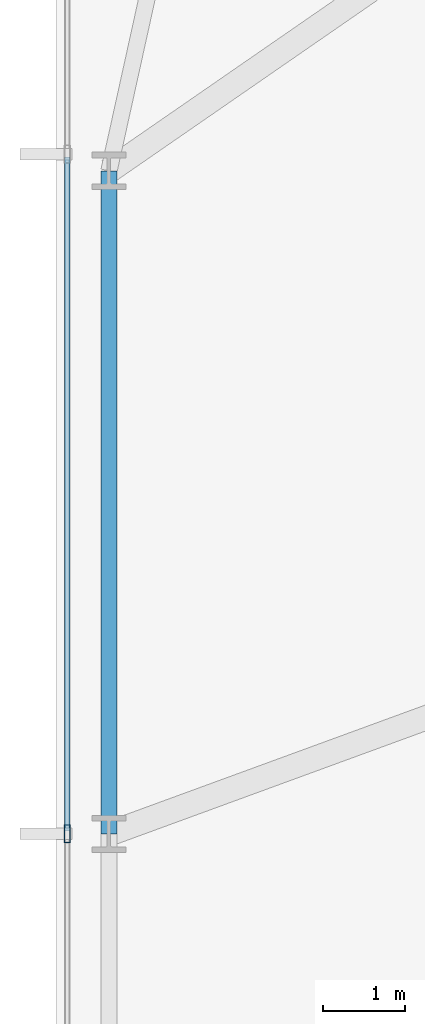
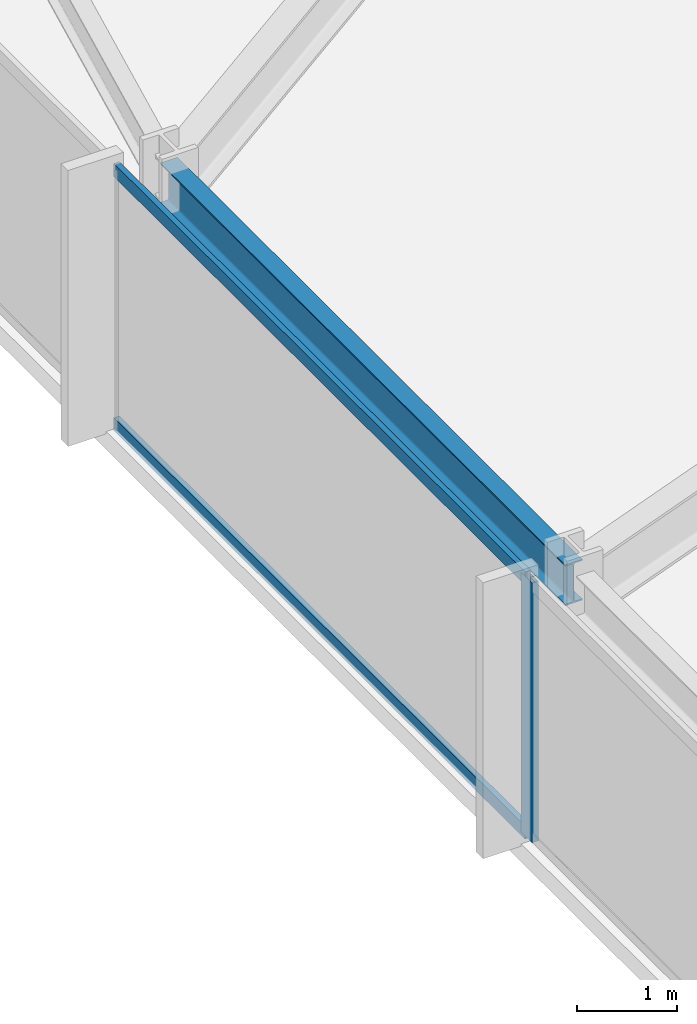
# One storey, part 7 of 32: 3 members, 1 beam, 1 element without a shape of its own.
"""IFC4 building model written with IfcOpenShell, lengths in metres."""

from ifc_helpers import new_model, si_unit, direction, frame, origin, origin_2d, place, context, subcontext, project, spatial, hollow_rectangle, i_section, extrude, material, material_profile, profile_set, type_object, element, aggregate, save


model = new_model("IFC4")

# Units and contexts
model_context = context("Model", 3, precision=1e-05, world=origin(), true_north=direction((0.0, 1.0)))
body_context = subcontext(model_context, "Body", "Model", "MODEL_VIEW")
ifc_project = project(units=[si_unit("LENGTHUNIT", "METRE"), si_unit("AREAUNIT", "SQUARE_METRE"), si_unit("VOLUMEUNIT", "CUBIC_METRE"), si_unit("PLANEANGLEUNIT", "RADIAN"), si_unit("MASSUNIT", "GRAM", prefix="KILO")], contexts=[model_context])

# Site, building, storey
site_placement = place(None, origin())
site = spatial("IfcSite", under=ifc_project, at=site_placement, CompositionType="ELEMENT")
building_placement = place(site_placement, origin())
building = spatial("IfcBuilding", under=site, at=building_placement, Name="Yelkora Congress Tower", CompositionType="ELEMENT")
storey_placement = place(building_placement, frame((0.0, 0.0, 33.800048828125)))
storey = spatial("IfcBuildingStorey", under=building, at=storey_placement, Name="L07", CompositionType="ELEMENT", Elevation=33.800048828125)

# Beam
ifc_material_1 = material(Name="Steel S355J2", Category="steel")
ifc_material_profile_1 = material_profile(ifc_material_1, i_section(OverallWidth=0.199951171875, OverallDepth=0.5, WebThickness=0.01025390625, FlangeThickness=0.01611328125, FilletRadius=0.02099609375, at=origin_2d()), Name="IPE 500")
ifc_profile_set_1 = profile_set([ifc_material_profile_1], Name="Steel S355J2")
beam_type = type_object("IfcBeamType", Name="BM-SPAN-IPE500", PredefinedType="SPANDREL", material=ifc_profile_set_1)
beam_placement = place(storey_placement, frame((6.64990234375, 37.52490234375, 2.929931640625), z_axis=(0.0, -1.0, 0.0), x_axis=(1.0, 0.0, 0.0)))
element("IfcBeam", 1, at=beam_placement, inside=storey, type_object=beam_type, Name="L07 Perimeter Beam 18", PredefinedType="SPANDREL", context=body_context, shape_type="SweptSolid", body=[
    extrude(i_section(OverallWidth=0.199951171875, OverallDepth=0.5, WebThickness=0.01025390625, FlangeThickness=0.01611328125, FilletRadius=0.02099609375, at=origin_2d()), origin(), (0.0, 0.0, 1.0), 8.125),
])

# Curtain wall, members
ifc_material_2 = material(Name="Anodised aluminium and insulated glass", Category="aluminium")
curtain_wall_type = type_object("IfcCurtainWallType", Name="CW-SYS-B1", PredefinedType="NOTDEFINED", material=ifc_material_2)
curtain_wall_placement = place(storey_placement, origin())
curtain_wall = element("IfcCurtainWall", 2, at=curtain_wall_placement, inside=storey, type_object=curtain_wall_type, Name="L07 Unitised Curtain Wall 5", PredefinedType="NOTDEFINED")
ifc_material_3 = material(Name="Anodised aluminium 6063-T6", Category="aluminium")
ifc_material_profile_2 = material_profile(ifc_material_3, hollow_rectangle(XDim=0.074951171875, YDim=0.219970703125, WallThickness=0.0048828125, at=origin_2d()), Name="ALU 75x220x5")
ifc_profile_set_2 = profile_set([ifc_material_profile_2], Name="Anodised aluminium 6063-T6")
member_type_1 = type_object("IfcMemberType", Name="MEM-ML-B1", PredefinedType="MULLION", material=ifc_profile_set_2)
member_1_placement = place(storey_placement, frame((6.139892578125, 29.39990234375, 0.0), z_axis=(0.0, 0.0, 1.0), x_axis=(-1.0, 0.0, 0.0)))
member_1 = element("IfcMember", 3, at=member_1_placement, type_object=member_type_1, Name="CW-B1 mullion 3", PredefinedType="MULLION", context=body_context, shape_type="SweptSolid", body=[
    extrude(hollow_rectangle(XDim=0.074951171875, YDim=0.219970703125, WallThickness=0.0048828125, at=origin_2d()), origin(), (0.0, 0.0, 1.0), 3.179931640625),
])
ifc_material_profile_3 = material_profile(ifc_material_3, hollow_rectangle(XDim=0.06494140625, YDim=0.159912109375, WallThickness=0.00390625, at=origin_2d()), Name="ALU 65x160x4")
ifc_profile_set_3 = profile_set([ifc_material_profile_3], Name="Anodised aluminium 6063-T6")
member_type_2 = type_object("IfcMemberType", Name="MEM-TR-B1", PredefinedType="USERDEFINED", material=ifc_profile_set_3)
member_2_placement = place(storey_placement, frame((6.139892578125, 29.4375, 0.032470703125), z_axis=(0.0, 1.0, 0.0), x_axis=(-1.0, 0.0, 0.0)))
member_2 = element("IfcMember", 4, at=member_2_placement, type_object=member_type_2, Name="CW-B1 transom 3.1", ObjectType="TRANSOM", PredefinedType="USERDEFINED", context=body_context, shape_type="SweptSolid", body=[
    extrude(hollow_rectangle(XDim=0.06494140625, YDim=0.159912109375, WallThickness=0.00390625, at=origin_2d()), origin(), (0.0, 0.0, 1.0), 8.2548828125),
])
member_3_placement = place(storey_placement, frame((6.139892578125, 29.4375, 3.1474609375), z_axis=(0.0, 1.0, 0.0), x_axis=(-1.0, 0.0, 0.0)))
member_3 = element("IfcMember", 5, at=member_3_placement, type_object=member_type_2, Name="CW-B1 transom 3.2", ObjectType="TRANSOM", PredefinedType="USERDEFINED", context=body_context, shape_type="SweptSolid", body=[
    extrude(hollow_rectangle(XDim=0.06494140625, YDim=0.159912109375, WallThickness=0.00390625, at=origin_2d()), origin(), (0.0, 0.0, 1.0), 8.2548828125),
])
aggregate(curtain_wall, [member_1, member_2, member_3])

save(model, "model.ifc")
